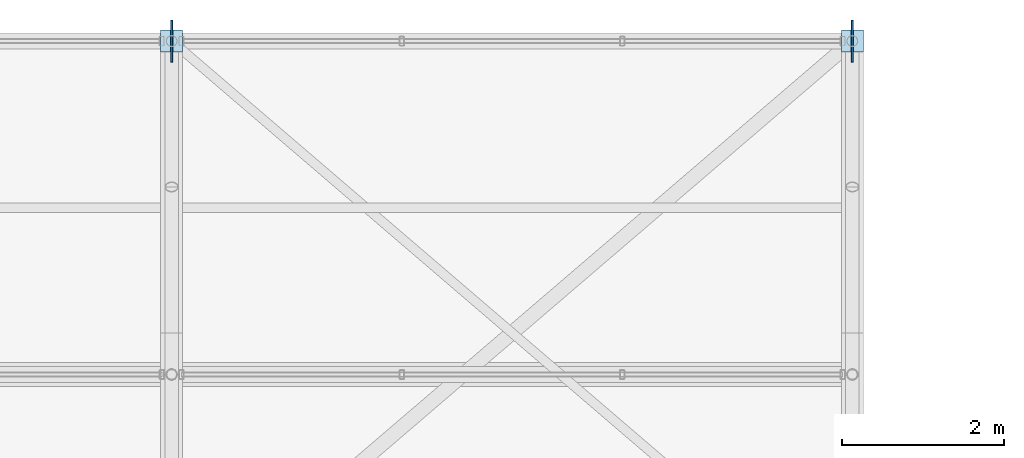
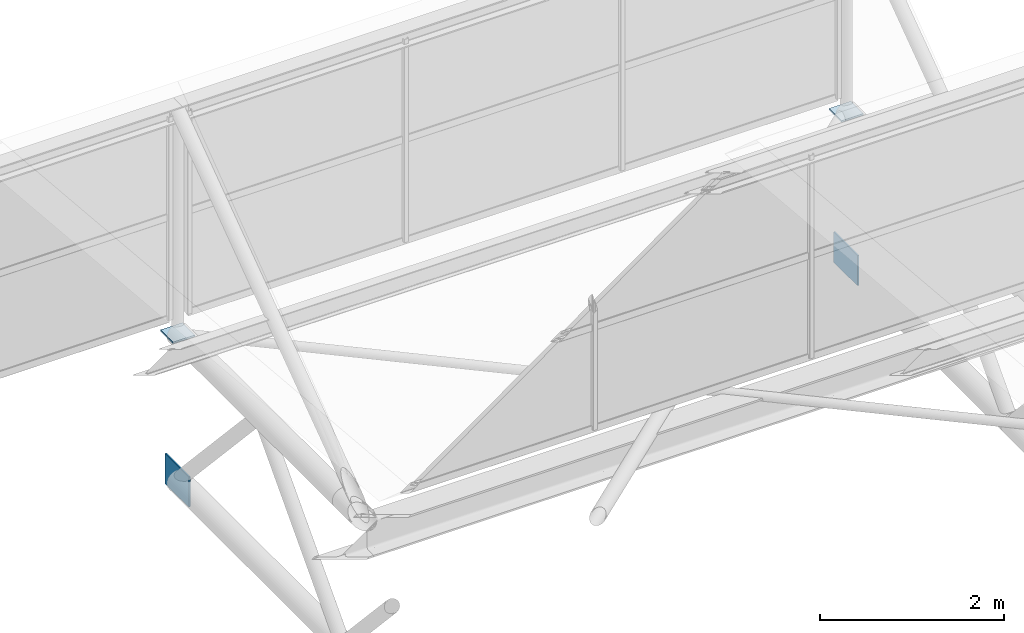
# One storey, part 126 of 134: 4 plates.
"""IFC4 building model written with IfcOpenShell, lengths in metres."""

from ifc_helpers import new_model, si_unit, derived_unit, direction, frame, origin, origin_2d, place, context, subcontext, project, spatial, rectangle, extrude, material, layer, layer_set, type_object, element, save


model = new_model("IFC4")

# Units and contexts
model_context = context("Model", 3, precision=1e-05, world=origin(), true_north=direction((0.0, 1.0)))
body_context = subcontext(model_context, "Body", "Model", "MODEL_VIEW")
ifc_project = project(units=[si_unit("LENGTHUNIT", "METRE"), si_unit("AREAUNIT", "SQUARE_METRE"), si_unit("VOLUMEUNIT", "CUBIC_METRE"), si_unit("PLANEANGLEUNIT", "RADIAN"), si_unit("MASSUNIT", "GRAM", prefix="KILO"), derived_unit("THERMALTRANSMITTANCEUNIT", [(si_unit("MASSUNIT", "GRAM", prefix="KILO"), 1), (si_unit("TIMEUNIT", "SECOND"), -3), (si_unit("THERMODYNAMICTEMPERATUREUNIT", "KELVIN"), -1)])], contexts=[model_context])

# Site, building, storey
site_placement = place(None, origin())
site = spatial("IfcSite", under=ifc_project, at=site_placement, CompositionType="ELEMENT")
building_placement = place(site_placement, origin())
building = spatial("IfcBuilding", under=site, at=building_placement, Name="Kharveza Railside Sports Centre", CompositionType="ELEMENT")
storey_placement = place(building_placement, frame((0.0, 0.0, 12.89990234375)))
storey = spatial("IfcBuildingStorey", under=building, at=storey_placement, Name="L03", CompositionType="ELEMENT", Elevation=12.89990234375)

# Plates
ifc_material = material(Name="Steel S355J2", Category="steel")
ifc_layer_1 = layer(ifc_material, 0.02001953125, Name="Steel S355J2")
ifc_layer_set_1 = layer_set([ifc_layer_1], Name="Steel S355J2")
plate_type_1 = type_object("IfcPlateType", Name="PL-EC05", PredefinedType="USERDEFINED", material=ifc_layer_set_1)
for number, where, z_axis, x_axis, name in (
    (1, (134.39990234375, 108.0, 1.940185546875), (0.0, 0.0, 1.0), (1.0, 0.0, 0.0), "PLT-EC-133"),
    (2, (142.800048828125, 108.0, 1.940185546875), (0.0, 0.0, 1.0), (1.0, 0.0, 0.0), "PLT-EC-137"),
):
    element("IfcPlate", number, at=place(storey_placement, frame(where, z_axis=z_axis, x_axis=x_axis)), inside=storey, type_object=plate_type_1, Name=name, ObjectType="END_CAP_PLATE", PredefinedType="USERDEFINED", context=body_context, shape_type="SweptSolid", body=[
        extrude(rectangle(XDim=0.27294921875, YDim=0.27294921875, at=origin_2d()), origin(), (0.0, 0.0, 1.0), 0.02001953125),
    ])
ifc_layer_2 = layer(ifc_material, 0.02197265625, Name="Steel S355J2")
ifc_layer_set_2 = layer_set([ifc_layer_2], Name="Steel S355J2")
plate_type_2 = type_object("IfcPlateType", Name="PL-GS03", PredefinedType="USERDEFINED", material=ifc_layer_set_2)
for number, where, z_axis, x_axis, name in (
    (3, (134.39990234375, 108.0, -0.199951171875), (0.0, 0.0, 1.0), (1.0, 0.0, 0.0), "PLT-GS-V2-6-N"),
    (4, (142.800048828125, 108.0, -0.199951171875), (0.0, 0.0, 1.0), (1.0, 0.0, 0.0), "PLT-GS-V2-7-N"),
):
    element("IfcPlate", number, at=place(storey_placement, frame(where, z_axis=z_axis, x_axis=x_axis)), inside=storey, type_object=plate_type_2, Name=name, ObjectType="GUSSET_PLATE", PredefinedType="USERDEFINED", context=body_context, shape_type="SweptSolid", body=[
        extrude(rectangle(XDim=0.02197265625, YDim=0.52001953125, at=origin_2d()), origin(), (0.0, 0.0, 1.0), 0.39990234375),
    ])

save(model, "model.ifc")
